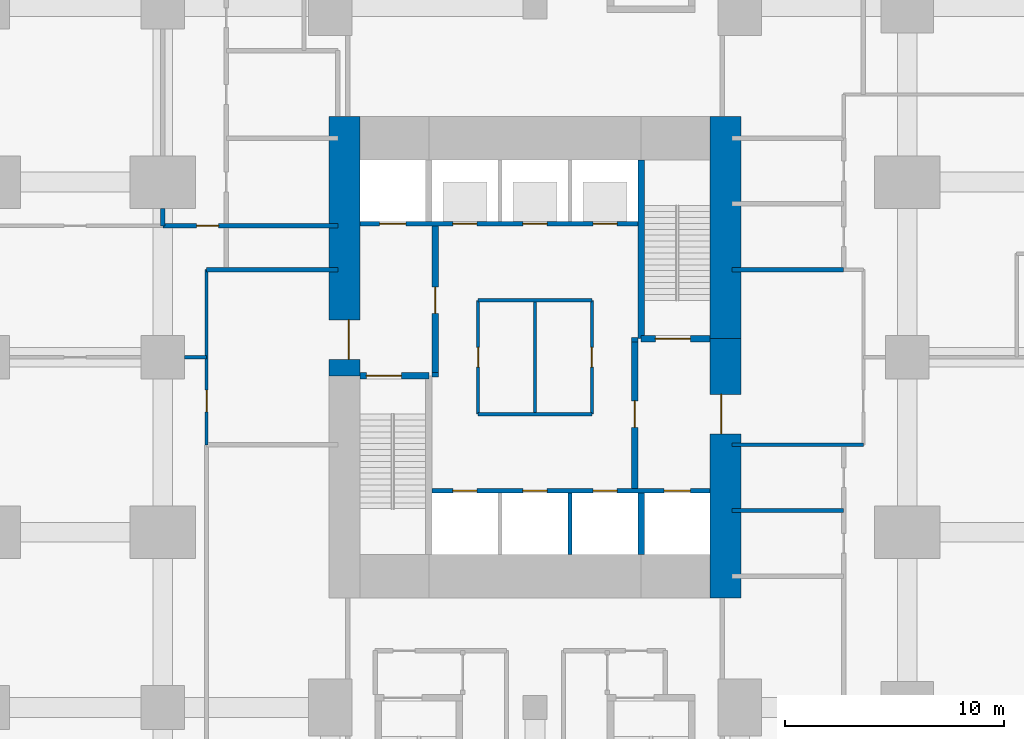
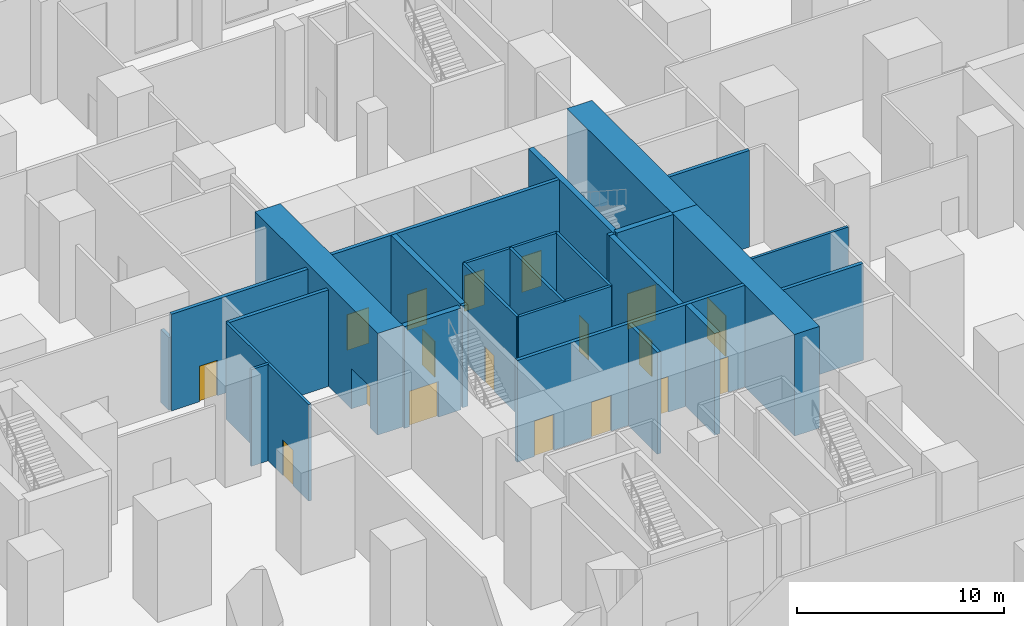
# One storey, part 7 of 16: 27 walls, 18 doors, 18 openings.
"""IFC4 building model written with IfcOpenShell, lengths in metres."""

import ifcopenshell
import ifcopenshell.guid

model = None  # the IFC model being written
_history = None  # IfcOwnerHistory: only IFC2X3 demands one
_inside = {}  # id of a spatial element -> (the spatial element, [elements in it])
_under = {}  # id of a project, library or spatial element -> (it, [spatial elements below it])
_declared = {}  # id of a project -> (the project, [libraries it declares])
_typed = {}  # id of a type object -> (the type object, [elements of that type])
_made_of = {}  # id of a material, layer set ... -> (it, [elements and type objects made of it])


def new_model(schema):
    """Start an empty IFC model of exactly this schema.

    Asked for "IFC4X3", IfcOpenShell would pick the latest addendum, in which some entities
    have other attributes; the version numbers below select the first issue.
    IFC2X3 requires an IfcOwnerHistory on every rooted entity: one is made here for all.
    """
    global model, _history
    if schema == "IFC4X3":
        model = ifcopenshell.file(schema_version=(4, 3, 0, 0))
    else:
        model = ifcopenshell.file(schema=schema)
    _inside.clear()
    _under.clear()
    _declared.clear()
    _typed.clear()
    _made_of.clear()
    _history = None
    if model.schema == "IFC2X3":
        org = make("IfcOrganization", Name="unknown")
        user = make(
            "IfcPersonAndOrganization",
            ThePerson=make("IfcPerson", FamilyName="unknown"),
            TheOrganization=org,
        )
        app = make(
            "IfcApplication",
            ApplicationDeveloper=org,
            Version="unknown",
            ApplicationFullName="unknown",
            ApplicationIdentifier="unknown",
        )
        _history = make(
            "IfcOwnerHistory",
            OwningUser=user,
            OwningApplication=app,
            ChangeAction="ADDED",
            CreationDate=0,
        )
    return model


def make(cls, **values):
    """One entity of the class cls with the attributes given. An attribute that is None is left unset."""
    return model.create_entity(
        cls, **{name: value for name, value in values.items() if value is not None}
    )


def rooted(cls, **values):
    """An entity with a GlobalId (a new one), such as an element, a storey or a relation."""
    return make(cls, GlobalId=ifcopenshell.guid.new(), OwnerHistory=_history, **values)


def si_unit(unit_type, name, prefix=None):
    """IfcSIUnit, for example si_unit("LENGTHUNIT", "METRE", prefix="MILLI")."""
    return make("IfcSIUnit", UnitType=unit_type, Prefix=prefix, Name=name)


def assignment(units):
    """IfcUnitAssignment: the units of a project."""
    return None if units is None else make("IfcUnitAssignment", Units=units)


def point(xyz):
    """IfcCartesianPoint."""
    return None if xyz is None else make("IfcCartesianPoint", Coordinates=xyz)


def direction(xyz):
    """IfcDirection."""
    return None if xyz is None else make("IfcDirection", DirectionRatios=xyz)


def frame(location, z_axis=None, x_axis=None):
    """IfcAxis2Placement3D, a coordinate frame: its origin and axes. An axis left out is left unset."""
    return make(
        "IfcAxis2Placement3D",
        Location=point(location),
        Axis=direction(z_axis),
        RefDirection=direction(x_axis),
    )


def frame_2d(location, x_axis=None):
    """IfcAxis2Placement2D, a coordinate frame in the plane: its origin and x axis."""
    return make(
        "IfcAxis2Placement2D", Location=point(location), RefDirection=direction(x_axis)
    )


def origin():
    """The frame at (0, 0, 0) with its axes left unset."""
    return frame((0.0, 0.0, 0.0))


def place(relative_to, where):
    """IfcLocalPlacement: puts the frame where relative to a parent placement (None: the world)."""
    return make(
        "IfcLocalPlacement", PlacementRelTo=relative_to, RelativePlacement=where
    )


def context(
    kind, dimensions, precision=None, world=None, true_north=None, identifier=None
):
    """IfcGeometricRepresentationContext, for example the 3D "Model" context."""
    return make(
        "IfcGeometricRepresentationContext",
        ContextIdentifier=identifier,
        ContextType=kind,
        CoordinateSpaceDimension=dimensions,
        Precision=precision,
        WorldCoordinateSystem=world,
        TrueNorth=true_north,
    )


def subcontext(parent, identifier, kind, view, scale=None):
    """IfcGeometricRepresentationSubContext, for example "Body" below "Model"."""
    return make(
        "IfcGeometricRepresentationSubContext",
        ContextIdentifier=identifier,
        ContextType=kind,
        ParentContext=parent,
        TargetScale=scale,
        TargetView=view,
    )


def project(units=None, contexts=None):
    """IfcProject with its units and contexts."""
    return rooted(
        "IfcProject",
        Name="project",
        RepresentationContexts=contexts,
        UnitsInContext=assignment(units),
    )


def spatial(cls, under=None, at=None, **own):
    """A site, building, storey or space (cls), placed at a placement, below another one or the project."""
    s = rooted(cls, ObjectPlacement=at, **own)
    if under is not None:
        _under.setdefault(under.id(), (under, []))[1].append(s)
    return s


def profile(cls, at=None, kind="AREA", **sizes):
    """A parametric profile (cls). Its sizes go by their IFC names, for example OverallWidth=200.0."""
    return make(cls, ProfileType=kind, Position=at, **sizes)


def rectangle(**sizes):
    """IfcRectangleProfileDef."""
    return profile("IfcRectangleProfileDef", **sizes)


def extrude(swept, where, along, depth):
    """IfcExtrudedAreaSolid: the profile swept, set in the frame where, extruded along a direction by depth."""
    return make(
        "IfcExtrudedAreaSolid",
        SweptArea=swept,
        Position=where,
        ExtrudedDirection=direction(along),
        Depth=depth,
    )


def shape(context_of_items, identifier, shape_type, items):
    """IfcShapeRepresentation: the items that make up one representation, for example the "Body"."""
    return make(
        "IfcShapeRepresentation",
        ContextOfItems=context_of_items,
        RepresentationIdentifier=identifier,
        RepresentationType=shape_type,
        Items=items,
    )


def material(Name=None, Category=None):
    """IfcMaterial."""
    return make("IfcMaterial", Name=Name, Category=Category)


def layer(
    of_material, thickness, ventilated=None, Name=None, Category=None, Priority=None
):
    """IfcMaterialLayer: one layer of a wall or slab, of a material (None: an air gap)."""
    return make(
        "IfcMaterialLayer",
        Material=of_material,
        LayerThickness=thickness,
        IsVentilated=ventilated,
        Name=Name,
        Category=Category,
        Priority=Priority,
    )


def layer_set(layers, Name=None):
    """IfcMaterialLayerSet."""
    return make("IfcMaterialLayerSet", MaterialLayers=layers, LayerSetName=Name)


def made_of(thing, what):
    """Note that an element or type object is made of a material, layer set ...; save() writes the relation."""
    if what is not None:
        _made_of.setdefault(what.id(), (what, []))[1].append(thing)
    return thing


def type_object(cls, material=None, **own):
    """A type object (cls), such as IfcWallType, which elements share."""
    return made_of(rooted(cls, **own), material)


def element(
    cls,
    number,
    at=None,
    inside=None,
    cuts=None,
    type_object=None,
    material=None,
    context=None,
    identifier="Body",
    shape_type=None,
    held_by="IfcProductDefinitionShape",
    body=None,
    shapes=None,
    **own,
):
    """One element of the class cls, such as IfcWall. Its Tag is "e" and its number.

    at: its placement. inside: the storey or other place that contains it. cuts: it is an
    opening in that element (IfcRelVoidsElement). A single representation is given by context,
    identifier, shape_type and body (its items); several are given by shapes. held_by: the class
    of the entity that holds the representations. save() writes the other relations.
    """
    e = rooted(cls, Tag="e%d" % number, ObjectPlacement=at, **own)
    if body is not None:
        shapes = [shape(context, identifier, shape_type, body)]
    if shapes is not None:
        e.Representation = make(held_by, Representations=shapes)
    if inside is not None:
        _inside.setdefault(inside.id(), (inside, []))[1].append(e)
    if cuts is not None:
        rooted(
            "IfcRelVoidsElement", RelatingBuildingElement=cuts, RelatedOpeningElement=e
        )
    if type_object is not None:
        _typed.setdefault(type_object.id(), (type_object, []))[1].append(e)
    return made_of(e, material)


def fill(opening, filler):
    """IfcRelFillsElement: the door or window that sits in an opening."""
    return rooted(
        "IfcRelFillsElement",
        RelatingOpeningElement=opening,
        RelatedBuildingElement=filler,
    )


def aggregate(whole, parts):
    """IfcRelAggregates: a whole, such as a stair, and the parts it consists of."""
    return rooted("IfcRelAggregates", RelatingObject=whole, RelatedObjects=parts)


def save(model, path):
    """Write the relations noted so far, then the file.

    IfcRelAggregates (storeys below a building ...), IfcRelContainedInSpatialStructure (elements
    in a storey), IfcRelDefinesByType, IfcRelAssociatesMaterial and IfcRelDeclares: one each for
    every whole, place, type object, material and project.
    """
    for whole, parts in _under.values():
        aggregate(whole, parts)
    for where, things in _inside.values():
        rooted(
            "IfcRelContainedInSpatialStructure",
            RelatedElements=things,
            RelatingStructure=where,
        )
    for kind, things in _typed.values():
        rooted("IfcRelDefinesByType", RelatedObjects=things, RelatingType=kind)
    for what, things in _made_of.values():
        rooted("IfcRelAssociatesMaterial", RelatedObjects=things, RelatingMaterial=what)
    for by, libraries in _declared.values():
        rooted("IfcRelDeclares", RelatingContext=by, RelatedDefinitions=libraries)
    model.write(path)


model = new_model("IFC4")

# Units and contexts
model_context = context("Model", 3, precision=1e-05, world=origin(), true_north=direction((0.0, 1.0)))
body_context = subcontext(model_context, "Body", "Model", "MODEL_VIEW")
ifc_project = project(units=[si_unit("LENGTHUNIT", "METRE"), si_unit("AREAUNIT", "SQUARE_METRE"), si_unit("VOLUMEUNIT", "CUBIC_METRE"), si_unit("PLANEANGLEUNIT", "RADIAN"), si_unit("MASSUNIT", "GRAM", prefix="KILO")], contexts=[model_context])

# Site, building, storey
site_placement = place(None, origin())
site = spatial("IfcSite", under=ifc_project, at=site_placement, CompositionType="ELEMENT")
building_placement = place(site_placement, origin())
building = spatial("IfcBuilding", under=site, at=building_placement, Name="Cleftline Residences", CompositionType="ELEMENT")
storey_placement = place(building_placement, origin())
storey = spatial("IfcBuildingStorey", under=building, at=storey_placement, Name="L00", CompositionType="ELEMENT", Elevation=0.0)

# Wall, opening, door
ifc_material_1 = material(Name="Concrete B70", Category="concrete")
ifc_layer_1 = layer(ifc_material_1, 1.39990234375)
ifc_layer_set_1 = layer_set([ifc_layer_1], Name="CORE WALL 1400")
wall_type_1 = type_object("IfcWallType", Name="CORE WALL 1400", PredefinedType="SHEAR", material=ifc_layer_set_1)
wall_1_placement = place(storey_placement, frame((24.300048828125, 23.14990234375, 0.0), z_axis=(0.0, 0.0, 1.0), x_axis=(0.0, 1.0, 0.0)))
wall_1 = element("IfcWall", 1, at=wall_1_placement, inside=storey, type_object=wall_type_1, Name="Core wall W", PredefinedType="SHEAR", context=body_context, shape_type="SweptSolid", body=[
    extrude(rectangle(XDim=11.85009765625, YDim=1.39990234375, at=frame_2d((5.925048828125, 0.0))), origin(), (0.0, 0.0, 1.0), 6.0),
])
opening_1_placement = place(wall_1_placement, frame((0.75, 0.0, 0.0)))
opening_1 = element("IfcOpeningElement", 2, at=opening_1_placement, cuts=wall_1, Name="Opening D7", PredefinedType="OPENING", context=body_context, shape_type="SweptSolid", body=[
    extrude(rectangle(XDim=1.800048828125, YDim=2.39990234375, at=frame_2d((0.89990234375, 1.199951171875))), frame((0.0, 0.7099609375, 0.0), z_axis=(0.0, -1.0, 0.0), x_axis=(1.0, 0.0, 0.0)), (0.0, 0.0, 1.0), 1.419921875),
])
ifc_material_2 = material(Name="Steel", Category="steel")
door_type_1 = type_object("IfcDoorType", Name="WING DOOR 1800X2400", OperationType="DOUBLE_DOOR_DOUBLE_SWING", PredefinedType="DOOR", material=ifc_material_2)
door_1_placement = place(opening_1_placement, origin())
door_1 = element("IfcDoor", 3, at=door_1_placement, inside=storey, type_object=door_type_1, Name="West wing door", OperationType="DOUBLE_DOOR_DOUBLE_SWING", OverallHeight=2.39990234375, OverallWidth=1.800048828125, PredefinedType="DOOR", context=body_context, shape_type="SweptSolid", body=[
    extrude(rectangle(XDim=1.800048828125, YDim=2.39990234375, at=frame_2d((0.89990234375, 1.199951171875))), frame((0.0, -0.1748046875, 0.0), z_axis=(0.0, -1.0, 0.0), x_axis=(1.0, 0.0, 0.0)), (0.0, 0.0, 1.0), 0.050048828125),
])
fill(opening_1, door_1)

wall_2_placement = place(storey_placement, frame((41.699951171875, 13.0, 0.0), z_axis=(0.0, 0.0, 1.0), x_axis=(0.0, 1.0, 0.0)))
wall_2 = element("IfcWall", 4, at=wall_2_placement, inside=storey, type_object=wall_type_1, Name="Core wall E", PredefinedType="SHEAR", context=body_context, shape_type="SweptSolid", body=[
    extrude(rectangle(XDim=11.85009765625, YDim=1.39990234375, at=frame_2d((5.925048828125, 0.0))), origin(), (0.0, 0.0, 1.0), 6.0),
])
opening_2_placement = place(wall_2_placement, frame((7.5, 0.0, 0.0)))
opening_2 = element("IfcOpeningElement", 5, at=opening_2_placement, cuts=wall_2, Name="Opening D7", PredefinedType="OPENING", context=body_context, shape_type="SweptSolid", body=[
    extrude(rectangle(XDim=1.800048828125, YDim=2.39990234375, at=frame_2d((0.89990234375, 1.199951171875))), frame((0.0, 0.7099609375, 0.0), z_axis=(0.0, -1.0, 0.0), x_axis=(1.0, 0.0, 0.0)), (0.0, 0.0, 1.0), 1.419921875),
])
door_2_placement = place(opening_2_placement, origin())
door_2 = element("IfcDoor", 6, at=door_2_placement, inside=storey, type_object=door_type_1, Name="East wing door", OperationType="DOUBLE_DOOR_DOUBLE_SWING", OverallHeight=2.39990234375, OverallWidth=1.800048828125, PredefinedType="DOOR", context=body_context, shape_type="SweptSolid", body=[
    extrude(rectangle(XDim=1.800048828125, YDim=2.39990234375, at=frame_2d((0.89990234375, 1.199951171875))), frame((0.0, 0.22509765625, 0.0), z_axis=(0.0, -1.0, 0.0), x_axis=(1.0, 0.0, 0.0)), (0.0, 0.0, 1.0), 0.050048828125),
])
fill(opening_2, door_2)

# Wall
wall_3_placement = place(storey_placement, frame((41.699951171875, 24.85009765625, 0.0), z_axis=(0.0, 0.0, 1.0), x_axis=(0.0, 1.0, 0.0)))
element("IfcWall", 7, at=wall_3_placement, inside=storey, type_object=wall_type_1, Name="Core wall E1", PredefinedType="SHEAR", context=body_context, shape_type="SweptSolid", body=[
    extrude(rectangle(XDim=10.14990234375, YDim=1.39990234375, at=frame_2d((5.074951171875, 0.0))), origin(), (0.0, 0.0, 1.0), 6.0),
])

# Wall, opening, door
ifc_material_3 = material(Name="Concrete B70", Category="concrete")
ifc_layer_2 = layer(ifc_material_3, 0.300048828125)
ifc_layer_set_2 = layer_set([ifc_layer_2], Name="CORE WALL 300")
wall_type_2 = type_object("IfcWallType", Name="CORE WALL 300", PredefinedType="SHEAR", material=ifc_layer_set_2)
wall_4_placement = place(storey_placement, frame((25.0, 23.14990234375, 0.0), z_axis=(0.0, 0.0, 1.0), x_axis=(1.0, 0.0, 0.0)))
wall_4 = element("IfcWall", 8, at=wall_4_placement, inside=storey, type_object=wall_type_2, Name="Core wall SA-N", PredefinedType="SHEAR", context=body_context, shape_type="SweptSolid", body=[
    extrude(rectangle(XDim=3.14990234375, YDim=0.300048828125, at=frame_2d((1.574951171875, 0.0))), origin(), (0.0, 0.0, 1.0), 6.0),
])
opening_3_placement = place(wall_4_placement, frame((0.300048828125, 0.0, 0.0)))
opening_3 = element("IfcOpeningElement", 9, at=opening_3_placement, cuts=wall_4, Name="Opening D9", PredefinedType="OPENING", context=body_context, shape_type="SweptSolid", body=[
    extrude(rectangle(XDim=1.60009765625, YDim=2.10009765625, at=frame_2d((0.800048828125, 1.050048828125))), frame((0.0, 0.159912109375, 0.0), z_axis=(0.0, -1.0, 0.0), x_axis=(1.0, 0.0, 0.0)), (0.0, 0.0, 1.0), 0.320068359375),
])
ifc_material_4 = material(Name="Steel", Category="steel")
door_type_2 = type_object("IfcDoorType", Name="STAIR DOOR 1600X2100", OperationType="DOUBLE_DOOR_SINGLE_SWING", PredefinedType="DOOR", material=ifc_material_4)
door_3_placement = place(opening_3_placement, origin())
door_3 = element("IfcDoor", 10, at=door_3_placement, inside=storey, type_object=door_type_2, Name="Stair A door", OperationType="DOUBLE_DOOR_SINGLE_SWING", OverallHeight=2.10009765625, OverallWidth=1.60009765625, PredefinedType="DOOR", context=body_context, shape_type="SweptSolid", body=[
    extrude(rectangle(XDim=1.60009765625, YDim=2.10009765625, at=frame_2d((0.800048828125, 1.050048828125))), frame((0.0, 0.02490234375, 0.0), z_axis=(0.0, -1.0, 0.0), x_axis=(1.0, 0.0, 0.0)), (0.0, 0.0, 1.0), 0.050048828125),
])
fill(opening_3, door_3)

# Wall
wall_5_placement = place(storey_placement, frame((37.85009765625, 24.85009765625, 0.0), z_axis=(0.0, 0.0, 1.0), x_axis=(0.0, 1.0, 0.0)))
element("IfcWall", 11, at=wall_5_placement, inside=storey, type_object=wall_type_2, Name="Core wall SB-W", PredefinedType="SHEAR", context=body_context, shape_type="SweptSolid", body=[
    extrude(rectangle(XDim=8.14990234375, YDim=0.300048828125, at=frame_2d((4.074951171875, 0.0))), origin(), (0.0, 0.0, 1.0), 6.0),
])

# Wall, opening, door
wall_6_placement = place(storey_placement, frame((37.85009765625, 24.85009765625, 0.0), z_axis=(0.0, 0.0, 1.0), x_axis=(1.0, 0.0, 0.0)))
wall_6 = element("IfcWall", 12, at=wall_6_placement, inside=storey, type_object=wall_type_2, Name="Core wall SB-S", PredefinedType="SHEAR", context=body_context, shape_type="SweptSolid", body=[
    extrude(rectangle(XDim=3.14990234375, YDim=0.300048828125, at=frame_2d((1.574951171875, 0.0))), origin(), (0.0, 0.0, 1.0), 6.0),
])
opening_4_placement = place(wall_6_placement, frame((0.64990234375, 0.0, 0.0)))
opening_4 = element("IfcOpeningElement", 13, at=opening_4_placement, cuts=wall_6, Name="Opening D9", PredefinedType="OPENING", context=body_context, shape_type="SweptSolid", body=[
    extrude(rectangle(XDim=1.60009765625, YDim=2.10009765625, at=frame_2d((0.800048828125, 1.050048828125))), frame((0.0, 0.159912109375, 0.0), z_axis=(0.0, -1.0, 0.0), x_axis=(1.0, 0.0, 0.0)), (0.0, 0.0, 1.0), 0.320068359375),
])
door_4_placement = place(opening_4_placement, origin())
door_4 = element("IfcDoor", 14, at=door_4_placement, inside=storey, type_object=door_type_2, Name="Stair B door", OperationType="DOUBLE_DOOR_SINGLE_SWING", OverallHeight=2.10009765625, OverallWidth=1.60009765625, PredefinedType="DOOR", context=body_context, shape_type="SweptSolid", body=[
    extrude(rectangle(XDim=1.60009765625, YDim=2.10009765625, at=frame_2d((0.800048828125, 1.050048828125))), frame((0.0, 0.02490234375, 0.0), z_axis=(0.0, -1.0, 0.0), x_axis=(1.0, 0.0, 0.0)), (0.0, 0.0, 1.0), 0.050048828125),
])
fill(opening_4, door_4)

# Walls
wall_7_placement = place(storey_placement, frame((37.85009765625, 15.0, 0.0), z_axis=(0.0, 0.0, 1.0), x_axis=(0.0, 1.0, 0.0)))
element("IfcWall", 15, at=wall_7_placement, inside=storey, type_object=wall_type_2, Name="Lift shaft wall", PredefinedType="SHEAR", context=body_context, shape_type="SweptSolid", body=[
    extrude(rectangle(XDim=2.800048828125, YDim=0.300048828125, at=frame_2d((1.39990234375, 0.0))), origin(), (0.0, 0.0, 1.0), 6.0),
])
ifc_material_5 = material(Name="Concrete blockwork, fire rated", Category="masonry")
ifc_layer_3 = layer(ifc_material_5, 0.199951171875)
ifc_layer_set_3 = layer_set([ifc_layer_3], Name="FIRE WALL 200")
wall_type_3 = type_object("IfcWallType", Name="FIRE WALL 200", PredefinedType="PARTITIONING", material=ifc_layer_set_3)
wall_8_placement = place(storey_placement, frame((42.0, 17.0, 0.0), z_axis=(0.0, 0.0, 1.0), x_axis=(1.0, 0.0, 0.0)))
element("IfcWall", 16, at=wall_8_placement, inside=storey, type_object=wall_type_3, Name="Fire separating wall", PredefinedType="PARTITIONING", context=body_context, shape_type="SweptSolid", body=[
    extrude(rectangle(XDim=5.10009765625, YDim=0.199951171875, at=frame_2d((2.550048828125, 0.0))), origin(), (0.0, 0.0, 1.0), 5.699951171875),
])
wall_9_placement = place(storey_placement, frame((18.0, 28.0, 0.0), z_axis=(0.0, 0.0, 1.0), x_axis=(1.0, 0.0, 0.0)))
element("IfcWall", 17, at=wall_9_placement, inside=storey, type_object=wall_type_3, Name="Fire separating wall", PredefinedType="PARTITIONING", context=body_context, shape_type="SweptSolid", body=[
    extrude(rectangle(XDim=6.0, YDim=0.199951171875, at=frame_2d((3.0, 0.0))), origin(), (0.0, 0.0, 1.0), 5.699951171875),
])
wall_10_placement = place(storey_placement, frame((42.0, 28.0, 0.0), z_axis=(0.0, 0.0, 1.0), x_axis=(1.0, 0.0, 0.0)))
element("IfcWall", 18, at=wall_10_placement, inside=storey, type_object=wall_type_3, Name="Fire separating wall", PredefinedType="PARTITIONING", context=body_context, shape_type="SweptSolid", body=[
    extrude(rectangle(XDim=5.10009765625, YDim=0.199951171875, at=frame_2d((2.550048828125, 0.0))), origin(), (0.0, 0.0, 1.0), 5.699951171875),
])

# Wall, opening, door
wall_11_placement = place(storey_placement, frame((16.0, 30.0, 0.0), z_axis=(0.0, 0.0, 1.0), x_axis=(1.0, 0.0, 0.0)))
wall_11 = element("IfcWall", 19, at=wall_11_placement, inside=storey, type_object=wall_type_3, Name="Fire separating wall", PredefinedType="PARTITIONING", context=body_context, shape_type="SweptSolid", body=[
    extrude(rectangle(XDim=8.0, YDim=0.199951171875, at=frame_2d((4.0, 0.0))), origin(), (0.0, 0.0, 1.0), 5.699951171875),
])
opening_5_placement = place(wall_11_placement, frame((1.550048828125, 0.0, 0.0)))
opening_5 = element("IfcOpeningElement", 20, at=opening_5_placement, cuts=wall_11, Name="Opening D2F30", PredefinedType="OPENING", context=body_context, shape_type="SweptSolid", body=[
    extrude(rectangle(XDim=1.0, YDim=2.10009765625, at=frame_2d((0.5, 1.050048828125))), frame((0.0, 0.10986328125, 0.0), z_axis=(0.0, -1.0, 0.0), x_axis=(1.0, 0.0, 0.0)), (0.0, 0.0, 1.0), 0.219970703125),
])
ifc_material_6 = material(Name="Timber veneer on solid core", Category="wood")
door_type_3 = type_object("IfcDoorType", Name="DOOR 1000X2100 EI 30", OperationType="SINGLE_SWING_LEFT", PredefinedType="DOOR", material=ifc_material_6)
door_5_placement = place(opening_5_placement, origin())
door_5 = element("IfcDoor", 21, at=door_5_placement, inside=storey, type_object=door_type_3, Name="Door to wc lobby", OperationType="SINGLE_SWING_RIGHT", OverallHeight=2.10009765625, OverallWidth=1.0, PredefinedType="DOOR", context=body_context, shape_type="SweptSolid", body=[
    extrude(rectangle(XDim=1.0, YDim=2.10009765625, at=frame_2d((0.5, 1.050048828125))), frame((0.0, 0.02490234375, 0.0), z_axis=(0.0, -1.0, 0.0), x_axis=(1.0, 0.0, 0.0)), (0.0, 0.0, 1.0), 0.050048828125),
])
fill(opening_5, door_5)

# Walls
wall_12_placement = place(storey_placement, frame((16.0, 30.0, 0.0), z_axis=(0.0, 0.0, 1.0), x_axis=(0.0, 1.0, 0.0)))
element("IfcWall", 22, at=wall_12_placement, inside=storey, type_object=wall_type_3, Name="Fire separating wall", PredefinedType="PARTITIONING", context=body_context, shape_type="SweptSolid", body=[
    extrude(rectangle(XDim=0.800048828125, YDim=0.199951171875, at=frame_2d((0.39990234375, 0.0))), origin(), (0.0, 0.0, 1.0), 4.300048828125),
])
for number, where, z_axis, x_axis, name in (
    (23, (28.300048828125, 23.199951171875, 0.0), (0.0, 0.0, 1.0), (1.0, 0.0, 0.0), "Fire separating wall"),
    (24, (37.39990234375, 24.800048828125, 0.0), (0.0, 0.0, 1.0), (1.0, 0.0, 0.0), "Fire separating wall"),
):
    element("IfcWall", number, at=place(storey_placement, frame(where, z_axis=z_axis, x_axis=x_axis)), inside=storey, type_object=wall_type_3, Name=name, PredefinedType="PARTITIONING", context=body_context, shape_type="SweptSolid", body=[
        extrude(rectangle(XDim=0.300048828125, YDim=0.199951171875, at=frame_2d((0.14990234375, 0.0))), origin(), (0.0, 0.0, 1.0), 6.0),
    ])
ifc_material_7 = material(Name="Gypsum board on steel studs", Category="steel")
ifc_layer_4 = layer(ifc_material_7, 0.14990234375)
ifc_layer_set_4 = layer_set([ifc_layer_4], Name="PARTITION 150")
wall_type_4 = type_object("IfcWallType", Name="PARTITION 150", PredefinedType="PARTITIONING", material=ifc_layer_set_4)
wall_13_placement = place(storey_placement, frame((42.0, 20.0, 0.0), z_axis=(0.0, 0.0, 1.0), x_axis=(1.0, 0.0, 0.0)))
element("IfcWall", 25, at=wall_13_placement, inside=storey, type_object=wall_type_4, Name="Partition", PredefinedType="PARTITIONING", context=body_context, shape_type="SweptSolid", body=[
    extrude(rectangle(XDim=6.0, YDim=0.14990234375, at=frame_2d((3.0, 0.0))), origin(), (0.0, 0.0, 1.0), 5.699951171875),
])
wall_14_placement = place(storey_placement, frame((17.0, 24.0, 0.0), z_axis=(0.0, 0.0, 1.0), x_axis=(1.0, 0.0, 0.0)))
element("IfcWall", 26, at=wall_14_placement, inside=storey, type_object=wall_type_4, Name="Partition", PredefinedType="PARTITIONING", context=body_context, shape_type="SweptSolid", body=[
    extrude(rectangle(XDim=1.0, YDim=0.14990234375, at=frame_2d((0.5, 0.0))), origin(), (0.0, 0.0, 1.0), 5.699951171875),
])

# Wall, opening, door
wall_15_placement = place(storey_placement, frame((18.0, 20.0, 0.0), z_axis=(0.0, 0.0, 1.0), x_axis=(0.0, 1.0, 0.0)))
wall_15 = element("IfcWall", 27, at=wall_15_placement, inside=storey, type_object=wall_type_4, Name="Partition", PredefinedType="PARTITIONING", context=body_context, shape_type="SweptSolid", body=[
    extrude(rectangle(XDim=8.0, YDim=0.14990234375, at=frame_2d((4.0, 0.0))), origin(), (0.0, 0.0, 1.0), 5.699951171875),
])
opening_6_placement = place(wall_15_placement, frame((1.5, 0.0, 0.0)))
opening_6 = element("IfcOpeningElement", 28, at=opening_6_placement, cuts=wall_15, Name="Opening D2F30", PredefinedType="OPENING", context=body_context, shape_type="SweptSolid", body=[
    extrude(rectangle(XDim=1.0, YDim=2.10009765625, at=frame_2d((0.5, 1.050048828125))), frame((0.0, 0.0849609375, 0.0), z_axis=(0.0, -1.0, 0.0), x_axis=(1.0, 0.0, 0.0)), (0.0, 0.0, 1.0), 0.169921875),
])
door_6_placement = place(opening_6_placement, origin())
door_6 = element("IfcDoor", 29, at=door_6_placement, inside=storey, type_object=door_type_3, Name="Door to west lift lobby", OperationType="SINGLE_SWING_RIGHT", OverallHeight=2.10009765625, OverallWidth=1.0, PredefinedType="DOOR", context=body_context, shape_type="SweptSolid", body=[
    extrude(rectangle(XDim=1.0, YDim=2.10009765625, at=frame_2d((0.5, 1.050048828125))), frame((0.0, 0.02490234375, 0.0), z_axis=(0.0, -1.0, 0.0), x_axis=(1.0, 0.0, 0.0)), (0.0, 0.0, 1.0), 0.050048828125),
])
fill(opening_6, door_6)

# Walls
ifc_material_8 = material(Name="Fire-resisting gypsum board on steel studs", Category="steel")
ifc_layer_5 = layer(ifc_material_8, 0.14990234375)
ifc_layer_set_5 = layer_set([ifc_layer_5], Name="PARTITION 150 EI 60")
wall_type_5 = type_object("IfcWallType", Name="PARTITION 150 EI 60", PredefinedType="PARTITIONING", material=ifc_layer_set_5)
for number, where, z_axis, x_axis, name in (
    (30, (30.39990234375, 21.39990234375, 0.0), (0.0, 0.0, 1.0), (1.0, 0.0, 0.0), "Core room partition"),
    (31, (30.39990234375, 26.60009765625, 0.0), (0.0, 0.0, 1.0), (1.0, 0.0, 0.0), "Core room partition"),
):
    element("IfcWall", number, at=place(storey_placement, frame(where, z_axis=z_axis, x_axis=x_axis)), inside=storey, type_object=wall_type_5, Name=name, PredefinedType="PARTITIONING", context=body_context, shape_type="SweptSolid", body=[
        extrude(rectangle(XDim=5.2001953125, YDim=0.14990234375, at=frame_2d((2.60009765625, 0.0))), origin(), (0.0, 0.0, 1.0), 5.699951171875),
    ])

# Wall, opening, door
wall_16_placement = place(storey_placement, frame((30.39990234375, 21.39990234375, 0.0), z_axis=(0.0, 0.0, 1.0), x_axis=(0.0, 1.0, 0.0)))
wall_16 = element("IfcWall", 32, at=wall_16_placement, inside=storey, type_object=wall_type_5, Name="Core room partition", PredefinedType="PARTITIONING", context=body_context, shape_type="SweptSolid", body=[
    extrude(rectangle(XDim=5.2001953125, YDim=0.14990234375, at=frame_2d((2.60009765625, 0.0))), origin(), (0.0, 0.0, 1.0), 5.699951171875),
])
opening_7_placement = place(wall_16_placement, frame((2.14990234375, 0.0, 0.0)))
opening_7 = element("IfcOpeningElement", 33, at=opening_7_placement, cuts=wall_16, Name="Opening D1F30", PredefinedType="OPENING", context=body_context, shape_type="SweptSolid", body=[
    extrude(rectangle(XDim=0.89990234375, YDim=2.10009765625, at=frame_2d((0.449951171875, 1.050048828125))), frame((0.0, 0.0849609375, 0.0), z_axis=(0.0, -1.0, 0.0), x_axis=(1.0, 0.0, 0.0)), (0.0, 0.0, 1.0), 0.169921875),
])
ifc_material_9 = material(Name="Timber veneer on solid core", Category="wood")
door_type_4 = type_object("IfcDoorType", Name="DOOR 900X2100 EI 30", OperationType="SINGLE_SWING_LEFT", PredefinedType="DOOR", material=ifc_material_9)
door_7_placement = place(opening_7_placement, origin())
door_7 = element("IfcDoor", 34, at=door_7_placement, inside=storey, type_object=door_type_4, Name="Door to cleaner's store", OperationType="SINGLE_SWING_LEFT", OverallHeight=2.10009765625, OverallWidth=0.89990234375, PredefinedType="DOOR", context=body_context, shape_type="SweptSolid", body=[
    extrude(rectangle(XDim=0.89990234375, YDim=2.10009765625, at=frame_2d((0.449951171875, 1.050048828125))), frame((0.0, 0.02490234375, 0.0), z_axis=(0.0, -1.0, 0.0), x_axis=(1.0, 0.0, 0.0)), (0.0, 0.0, 1.0), 0.050048828125),
])
fill(opening_7, door_7)

wall_17_placement = place(storey_placement, frame((35.60009765625, 21.39990234375, 0.0), z_axis=(0.0, 0.0, 1.0), x_axis=(0.0, 1.0, 0.0)))
wall_17 = element("IfcWall", 35, at=wall_17_placement, inside=storey, type_object=wall_type_5, Name="Core room partition", PredefinedType="PARTITIONING", context=body_context, shape_type="SweptSolid", body=[
    extrude(rectangle(XDim=5.2001953125, YDim=0.14990234375, at=frame_2d((2.60009765625, 0.0))), origin(), (0.0, 0.0, 1.0), 5.699951171875),
])
opening_8_placement = place(wall_17_placement, frame((2.14990234375, 0.0, 0.0)))
opening_8 = element("IfcOpeningElement", 36, at=opening_8_placement, cuts=wall_17, Name="Opening D1F30", PredefinedType="OPENING", context=body_context, shape_type="SweptSolid", body=[
    extrude(rectangle(XDim=0.89990234375, YDim=2.10009765625, at=frame_2d((0.449951171875, 1.050048828125))), frame((0.0, 0.0849609375, 0.0), z_axis=(0.0, -1.0, 0.0), x_axis=(1.0, 0.0, 0.0)), (0.0, 0.0, 1.0), 0.169921875),
])
door_8_placement = place(opening_8_placement, origin())
door_8 = element("IfcDoor", 37, at=door_8_placement, inside=storey, type_object=door_type_4, Name="Door to retail stock room", OperationType="SINGLE_SWING_LEFT", OverallHeight=2.10009765625, OverallWidth=0.89990234375, PredefinedType="DOOR", context=body_context, shape_type="SweptSolid", body=[
    extrude(rectangle(XDim=0.89990234375, YDim=2.10009765625, at=frame_2d((0.449951171875, 1.050048828125))), frame((0.0, 0.02490234375, 0.0), z_axis=(0.0, -1.0, 0.0), x_axis=(1.0, 0.0, 0.0)), (0.0, 0.0, 1.0), 0.050048828125),
])
fill(opening_8, door_8)

# Wall
wall_18_placement = place(storey_placement, frame((33.0, 21.39990234375, 0.0), z_axis=(0.0, 0.0, 1.0), x_axis=(0.0, 1.0, 0.0)))
element("IfcWall", 38, at=wall_18_placement, inside=storey, type_object=wall_type_5, Name="Core room partition", PredefinedType="PARTITIONING", context=body_context, shape_type="SweptSolid", body=[
    extrude(rectangle(XDim=5.2001953125, YDim=0.14990234375, at=frame_2d((2.60009765625, 0.0))), origin(), (0.0, 0.0, 1.0), 5.699951171875),
])

# Wall, openings, doors
ifc_material_10 = material(Name="Concrete blockwork, fire rated", Category="masonry")
ifc_layer_6 = layer(ifc_material_10, 0.199951171875)
ifc_layer_set_6 = layer_set([ifc_layer_6], Name="SHAFT WALL 200")
wall_type_6 = type_object("IfcWallType", Name="SHAFT WALL 200", PredefinedType="PARTITIONING", material=ifc_layer_set_6)
wall_19_placement = place(storey_placement, frame((28.300048828125, 17.89990234375, 0.0), z_axis=(0.0, 0.0, 1.0), x_axis=(1.0, 0.0, 0.0)))
wall_19 = element("IfcWall", 39, at=wall_19_placement, inside=storey, type_object=wall_type_6, Name="Lift shaft wall", PredefinedType="PARTITIONING", context=body_context, shape_type="SweptSolid", body=[
    extrude(rectangle(XDim=12.699951171875, YDim=0.199951171875, at=frame_2d((6.35009765625, 0.0))), origin(), (0.0, 0.0, 1.0), 6.0),
])
opening_9_placement = place(wall_19_placement, frame((0.949951171875, 0.0, 0.0)))
opening_9 = element("IfcOpeningElement", 40, at=opening_9_placement, cuts=wall_19, Name="Opening LD1", PredefinedType="OPENING", context=body_context, shape_type="SweptSolid", body=[
    extrude(rectangle(XDim=1.10009765625, YDim=2.10009765625, at=frame_2d((0.550048828125, 1.050048828125))), frame((0.0, 0.10986328125, 0.0), z_axis=(0.0, -1.0, 0.0), x_axis=(1.0, 0.0, 0.0)), (0.0, 0.0, 1.0), 0.219970703125),
])
opening_10_placement = place(wall_19_placement, frame((4.14990234375, 0.0, 0.0)))
opening_10 = element("IfcOpeningElement", 41, at=opening_10_placement, cuts=wall_19, Name="Opening LD1", PredefinedType="OPENING", context=body_context, shape_type="SweptSolid", body=[
    extrude(rectangle(XDim=1.10009765625, YDim=2.10009765625, at=frame_2d((0.550048828125, 1.050048828125))), frame((0.0, 0.10986328125, 0.0), z_axis=(0.0, -1.0, 0.0), x_axis=(1.0, 0.0, 0.0)), (0.0, 0.0, 1.0), 0.219970703125),
])
opening_11_placement = place(wall_19_placement, frame((7.35009765625, 0.0, 0.0)))
opening_11 = element("IfcOpeningElement", 42, at=opening_11_placement, cuts=wall_19, Name="Opening LD1", PredefinedType="OPENING", context=body_context, shape_type="SweptSolid", body=[
    extrude(rectangle(XDim=1.10009765625, YDim=2.10009765625, at=frame_2d((0.550048828125, 1.050048828125))), frame((0.0, 0.10986328125, 0.0), z_axis=(0.0, -1.0, 0.0), x_axis=(1.0, 0.0, 0.0)), (0.0, 0.0, 1.0), 0.219970703125),
])
opening_12_placement = place(wall_19_placement, frame((10.60009765625, 0.0, 0.0)))
opening_12 = element("IfcOpeningElement", 43, at=opening_12_placement, cuts=wall_19, Name="Opening LD2", PredefinedType="OPENING", context=body_context, shape_type="SweptSolid", body=[
    extrude(rectangle(XDim=1.199951171875, YDim=2.10009765625, at=frame_2d((0.60009765625, 1.050048828125))), frame((0.0, 0.10986328125, 0.0), z_axis=(0.0, -1.0, 0.0), x_axis=(1.0, 0.0, 0.0)), (0.0, 0.0, 1.0), 0.219970703125),
])
ifc_material_11 = material(Name="Steel", Category="steel")
door_type_5 = type_object("IfcDoorType", Name="FIREFIGHTING LIFT LANDING DOOR 1200X2100", OperationType="SLIDING_TO_LEFT", PredefinedType="DOOR", material=ifc_material_11)
door_9_placement = place(opening_12_placement, origin())
door_9 = element("IfcDoor", 44, at=door_9_placement, inside=storey, type_object=door_type_5, Name="Lift FL2 landing door", OperationType="SLIDING_TO_LEFT", OverallHeight=2.10009765625, OverallWidth=1.199951171875, PredefinedType="DOOR", context=body_context, shape_type="SweptSolid", body=[
    extrude(rectangle(XDim=1.199951171875, YDim=2.10009765625, at=frame_2d((0.60009765625, 1.050048828125))), frame((0.0, 0.02490234375, 0.0), z_axis=(0.0, -1.0, 0.0), x_axis=(1.0, 0.0, 0.0)), (0.0, 0.0, 1.0), 0.050048828125),
])
fill(opening_12, door_9)
ifc_material_12 = material(Name="Steel", Category="steel")
door_type_6 = type_object("IfcDoorType", Name="LIFT LANDING DOOR 1100X2100", OperationType="SLIDING_TO_LEFT", PredefinedType="DOOR", material=ifc_material_12)
door_10_placement = place(opening_9_placement, origin())
door_10 = element("IfcDoor", 45, at=door_10_placement, inside=storey, type_object=door_type_6, Name="Lift P1 landing door", OperationType="SLIDING_TO_LEFT", OverallHeight=2.10009765625, OverallWidth=1.10009765625, PredefinedType="DOOR", context=body_context, shape_type="SweptSolid", body=[
    extrude(rectangle(XDim=1.10009765625, YDim=2.10009765625, at=frame_2d((0.550048828125, 1.050048828125))), frame((0.0, 0.02490234375, 0.0), z_axis=(0.0, -1.0, 0.0), x_axis=(1.0, 0.0, 0.0)), (0.0, 0.0, 1.0), 0.050048828125),
])
fill(opening_9, door_10)
door_11_placement = place(opening_10_placement, origin())
door_11 = element("IfcDoor", 46, at=door_11_placement, inside=storey, type_object=door_type_6, Name="Lift P2 landing door", OperationType="SLIDING_TO_LEFT", OverallHeight=2.10009765625, OverallWidth=1.10009765625, PredefinedType="DOOR", context=body_context, shape_type="SweptSolid", body=[
    extrude(rectangle(XDim=1.10009765625, YDim=2.10009765625, at=frame_2d((0.550048828125, 1.050048828125))), frame((0.0, 0.02490234375, 0.0), z_axis=(0.0, -1.0, 0.0), x_axis=(1.0, 0.0, 0.0)), (0.0, 0.0, 1.0), 0.050048828125),
])
fill(opening_10, door_11)
door_12_placement = place(opening_11_placement, origin())
door_12 = element("IfcDoor", 47, at=door_12_placement, inside=storey, type_object=door_type_6, Name="Lift P3 landing door", OperationType="SLIDING_TO_LEFT", OverallHeight=2.10009765625, OverallWidth=1.10009765625, PredefinedType="DOOR", context=body_context, shape_type="SweptSolid", body=[
    extrude(rectangle(XDim=1.10009765625, YDim=2.10009765625, at=frame_2d((0.550048828125, 1.050048828125))), frame((0.0, 0.02490234375, 0.0), z_axis=(0.0, -1.0, 0.0), x_axis=(1.0, 0.0, 0.0)), (0.0, 0.0, 1.0), 0.050048828125),
])
fill(opening_11, door_12)

wall_20_placement = place(storey_placement, frame((25.0, 30.10009765625, 0.0), z_axis=(0.0, 0.0, 1.0), x_axis=(1.0, 0.0, 0.0)))
wall_20 = element("IfcWall", 48, at=wall_20_placement, inside=storey, type_object=wall_type_6, Name="Lift shaft wall", PredefinedType="PARTITIONING", context=body_context, shape_type="SweptSolid", body=[
    extrude(rectangle(XDim=12.699951171875, YDim=0.199951171875, at=frame_2d((6.35009765625, 0.0))), origin(), (0.0, 0.0, 1.0), 6.0),
])
opening_13_placement = place(wall_20_placement, frame((4.25, 0.0, 0.0)))
opening_13 = element("IfcOpeningElement", 49, at=opening_13_placement, cuts=wall_20, Name="Opening LD1", PredefinedType="OPENING", context=body_context, shape_type="SweptSolid", body=[
    extrude(rectangle(XDim=1.10009765625, YDim=2.10009765625, at=frame_2d((0.550048828125, 1.050048828125))), frame((0.0, 0.10986328125, 0.0), z_axis=(0.0, -1.0, 0.0), x_axis=(1.0, 0.0, 0.0)), (0.0, 0.0, 1.0), 0.219970703125),
])
opening_14_placement = place(wall_20_placement, frame((7.449951171875, 0.0, 0.0)))
opening_14 = element("IfcOpeningElement", 50, at=opening_14_placement, cuts=wall_20, Name="Opening LD1", PredefinedType="OPENING", context=body_context, shape_type="SweptSolid", body=[
    extrude(rectangle(XDim=1.10009765625, YDim=2.10009765625, at=frame_2d((0.550048828125, 1.050048828125))), frame((0.0, 0.10986328125, 0.0), z_axis=(0.0, -1.0, 0.0), x_axis=(1.0, 0.0, 0.0)), (0.0, 0.0, 1.0), 0.219970703125),
])
opening_15_placement = place(wall_20_placement, frame((10.64990234375, 0.0, 0.0)))
opening_15 = element("IfcOpeningElement", 51, at=opening_15_placement, cuts=wall_20, Name="Opening LD1", PredefinedType="OPENING", context=body_context, shape_type="SweptSolid", body=[
    extrude(rectangle(XDim=1.10009765625, YDim=2.10009765625, at=frame_2d((0.550048828125, 1.050048828125))), frame((0.0, 0.10986328125, 0.0), z_axis=(0.0, -1.0, 0.0), x_axis=(1.0, 0.0, 0.0)), (0.0, 0.0, 1.0), 0.219970703125),
])
opening_16_placement = place(wall_20_placement, frame((0.89990234375, 0.0, 0.0)))
opening_16 = element("IfcOpeningElement", 52, at=opening_16_placement, cuts=wall_20, Name="Opening LD2", PredefinedType="OPENING", context=body_context, shape_type="SweptSolid", body=[
    extrude(rectangle(XDim=1.199951171875, YDim=2.10009765625, at=frame_2d((0.60009765625, 1.050048828125))), frame((0.0, 0.10986328125, 0.0), z_axis=(0.0, -1.0, 0.0), x_axis=(1.0, 0.0, 0.0)), (0.0, 0.0, 1.0), 0.219970703125),
])
door_13_placement = place(opening_16_placement, origin())
door_13 = element("IfcDoor", 53, at=door_13_placement, inside=storey, type_object=door_type_5, Name="Lift FL1 landing door", OperationType="SLIDING_TO_LEFT", OverallHeight=2.10009765625, OverallWidth=1.199951171875, PredefinedType="DOOR", context=body_context, shape_type="SweptSolid", body=[
    extrude(rectangle(XDim=1.199951171875, YDim=2.10009765625, at=frame_2d((0.60009765625, 1.050048828125))), frame((0.0, 0.02490234375, 0.0), z_axis=(0.0, -1.0, 0.0), x_axis=(1.0, 0.0, 0.0)), (0.0, 0.0, 1.0), 0.050048828125),
])
fill(opening_16, door_13)
door_14_placement = place(opening_13_placement, origin())
door_14 = element("IfcDoor", 54, at=door_14_placement, inside=storey, type_object=door_type_6, Name="Lift P4 landing door", OperationType="SLIDING_TO_LEFT", OverallHeight=2.10009765625, OverallWidth=1.10009765625, PredefinedType="DOOR", context=body_context, shape_type="SweptSolid", body=[
    extrude(rectangle(XDim=1.10009765625, YDim=2.10009765625, at=frame_2d((0.550048828125, 1.050048828125))), frame((0.0, 0.02490234375, 0.0), z_axis=(0.0, -1.0, 0.0), x_axis=(1.0, 0.0, 0.0)), (0.0, 0.0, 1.0), 0.050048828125),
])
fill(opening_13, door_14)
door_15_placement = place(opening_14_placement, origin())
door_15 = element("IfcDoor", 55, at=door_15_placement, inside=storey, type_object=door_type_6, Name="Lift P5 landing door", OperationType="SLIDING_TO_LEFT", OverallHeight=2.10009765625, OverallWidth=1.10009765625, PredefinedType="DOOR", context=body_context, shape_type="SweptSolid", body=[
    extrude(rectangle(XDim=1.10009765625, YDim=2.10009765625, at=frame_2d((0.550048828125, 1.050048828125))), frame((0.0, 0.02490234375, 0.0), z_axis=(0.0, -1.0, 0.0), x_axis=(1.0, 0.0, 0.0)), (0.0, 0.0, 1.0), 0.050048828125),
])
fill(opening_14, door_15)
door_16_placement = place(opening_15_placement, origin())
door_16 = element("IfcDoor", 56, at=door_16_placement, inside=storey, type_object=door_type_6, Name="Lift P6 landing door", OperationType="SLIDING_TO_LEFT", OverallHeight=2.10009765625, OverallWidth=1.10009765625, PredefinedType="DOOR", context=body_context, shape_type="SweptSolid", body=[
    extrude(rectangle(XDim=1.10009765625, YDim=2.10009765625, at=frame_2d((0.550048828125, 1.050048828125))), frame((0.0, 0.02490234375, 0.0), z_axis=(0.0, -1.0, 0.0), x_axis=(1.0, 0.0, 0.0)), (0.0, 0.0, 1.0), 0.050048828125),
])
fill(opening_15, door_16)

# Wall
wall_21_placement = place(storey_placement, frame((34.60009765625, 15.0, 0.0), z_axis=(0.0, 0.0, 1.0), x_axis=(0.0, 1.0, 0.0)))
element("IfcWall", 57, at=wall_21_placement, inside=storey, type_object=wall_type_6, Name="Lift shaft wall", PredefinedType="PARTITIONING", context=body_context, shape_type="SweptSolid", body=[
    extrude(rectangle(XDim=2.800048828125, YDim=0.199951171875, at=frame_2d((1.39990234375, 0.0))), origin(), (0.0, 0.0, 1.0), 6.0),
])

# Wall, opening, door
ifc_material_13 = material(Name="Concrete blockwork, fire rated", Category="masonry")
ifc_layer_7 = layer(ifc_material_13, 0.300048828125)
ifc_layer_set_7 = layer_set([ifc_layer_7], Name="STAIR LOBBY WALL 300")
wall_type_7 = type_object("IfcWallType", Name="STAIR LOBBY WALL 300", PredefinedType="PARTITIONING", material=ifc_layer_set_7)
wall_22_placement = place(storey_placement, frame((28.449951171875, 23.300048828125, 0.0), z_axis=(0.0, 0.0, 1.0), x_axis=(0.0, 1.0, 0.0)))
wall_22 = element("IfcWall", 58, at=wall_22_placement, inside=storey, type_object=wall_type_7, Name="Stair and lobby wall FA-E", PredefinedType="PARTITIONING", context=body_context, shape_type="SweptSolid", body=[
    extrude(rectangle(XDim=6.699951171875, YDim=0.300048828125, at=frame_2d((3.35009765625, 0.0))), origin(), (0.0, 0.0, 1.0), 6.0),
])
opening_17_placement = place(wall_22_placement, frame((2.699951171875, 0.0, 0.0)))
opening_17 = element("IfcOpeningElement", 59, at=opening_17_placement, cuts=wall_22, Name="Opening D6", PredefinedType="OPENING", context=body_context, shape_type="SweptSolid", body=[
    extrude(rectangle(XDim=1.199951171875, YDim=2.10009765625, at=frame_2d((0.60009765625, 1.050048828125))), frame((0.0, 0.159912109375, 0.0), z_axis=(0.0, -1.0, 0.0), x_axis=(1.0, 0.0, 0.0)), (0.0, 0.0, 1.0), 0.320068359375),
])
ifc_material_14 = material(Name="Steel", Category="steel")
door_type_7 = type_object("IfcDoorType", Name="LOBBY DOOR 1200X2100", OperationType="SINGLE_SWING_RIGHT", PredefinedType="DOOR", material=ifc_material_14)
door_17_placement = place(opening_17_placement, origin())
door_17 = element("IfcDoor", 60, at=door_17_placement, inside=storey, type_object=door_type_7, Name="Firefighting lobby A door", OperationType="SINGLE_SWING_RIGHT", OverallHeight=2.10009765625, OverallWidth=1.199951171875, PredefinedType="DOOR", context=body_context, shape_type="SweptSolid", body=[
    extrude(rectangle(XDim=1.199951171875, YDim=2.10009765625, at=frame_2d((0.60009765625, 1.050048828125))), frame((0.0, 0.02490234375, 0.0), z_axis=(0.0, -1.0, 0.0), x_axis=(1.0, 0.0, 0.0)), (0.0, 0.0, 1.0), 0.050048828125),
])
fill(opening_17, door_17)

wall_23_placement = place(storey_placement, frame((37.550048828125, 18.0, 0.0), z_axis=(0.0, 0.0, 1.0), x_axis=(0.0, 1.0, 0.0)))
wall_23 = element("IfcWall", 61, at=wall_23_placement, inside=storey, type_object=wall_type_7, Name="Stair and lobby wall FB-W", PredefinedType="PARTITIONING", context=body_context, shape_type="SweptSolid", body=[
    extrude(rectangle(XDim=6.699951171875, YDim=0.300048828125, at=frame_2d((3.35009765625, 0.0))), origin(), (0.0, 0.0, 1.0), 6.0),
])
opening_18_placement = place(wall_23_placement, frame((2.800048828125, 0.0, 0.0)))
opening_18 = element("IfcOpeningElement", 62, at=opening_18_placement, cuts=wall_23, Name="Opening D6", PredefinedType="OPENING", context=body_context, shape_type="SweptSolid", body=[
    extrude(rectangle(XDim=1.199951171875, YDim=2.10009765625, at=frame_2d((0.60009765625, 1.050048828125))), frame((0.0, 0.159912109375, 0.0), z_axis=(0.0, -1.0, 0.0), x_axis=(1.0, 0.0, 0.0)), (0.0, 0.0, 1.0), 0.320068359375),
])
door_18_placement = place(opening_18_placement, origin())
door_18 = element("IfcDoor", 63, at=door_18_placement, inside=storey, type_object=door_type_7, Name="Firefighting lobby B door", OperationType="SINGLE_SWING_LEFT", OverallHeight=2.10009765625, OverallWidth=1.199951171875, PredefinedType="DOOR", context=body_context, shape_type="SweptSolid", body=[
    extrude(rectangle(XDim=1.199951171875, YDim=2.10009765625, at=frame_2d((0.60009765625, 1.050048828125))), frame((0.0, 0.02490234375, 0.0), z_axis=(0.0, -1.0, 0.0), x_axis=(1.0, 0.0, 0.0)), (0.0, 0.0, 1.0), 0.050048828125),
])
fill(opening_18, door_18)

save(model, "model.ifc")
